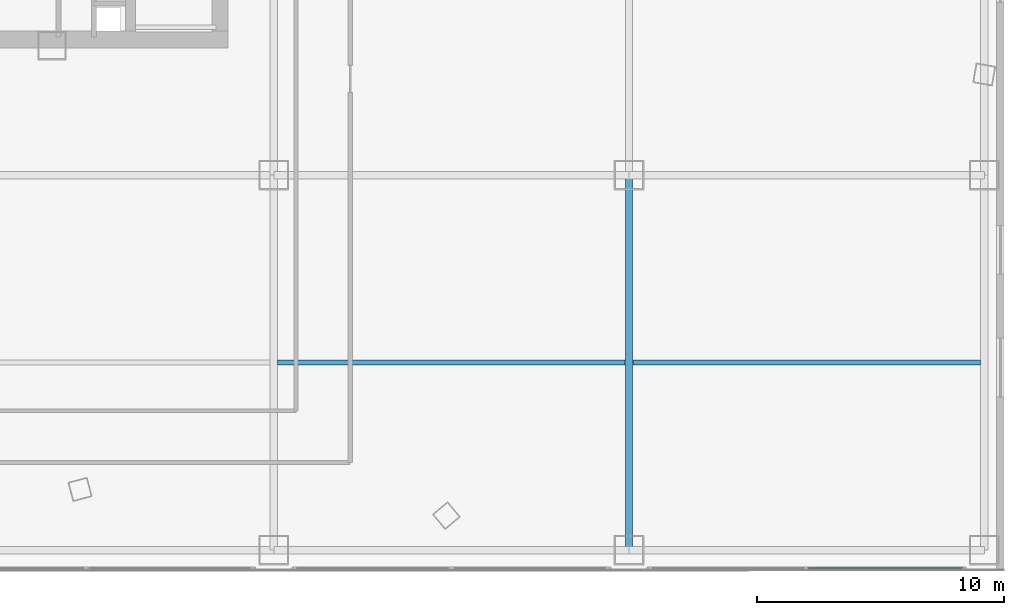
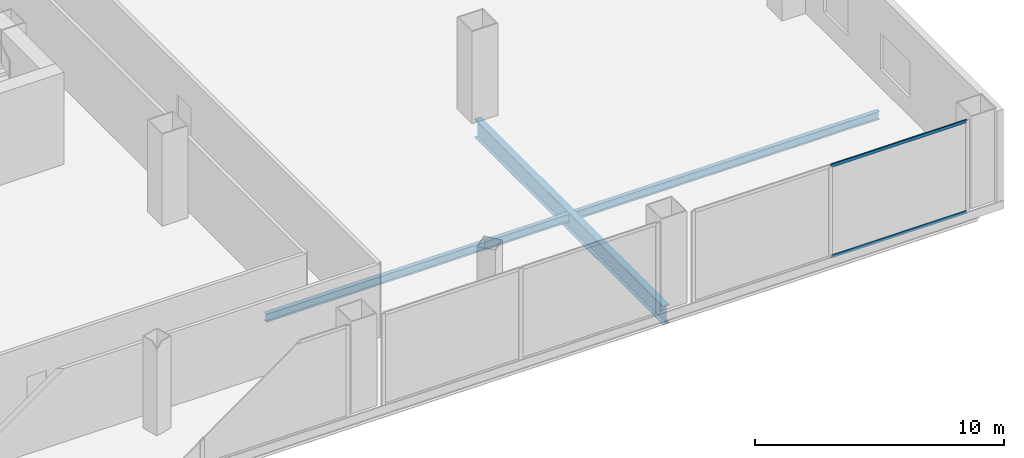
# One storey, part 15 of 40: 3 beams, 2 members, 1 element without a shape of its own.
"""IFC4 building model written with IfcOpenShell, lengths in metres."""

from ifc_helpers import new_model, si_unit, direction, frame, origin, origin_2d, place, context, subcontext, project, spatial, hollow_rectangle, i_section, extrude, source, transform, mapped, material, layer, layer_set, material_profile, profile_set, type_object, element, aggregate, save


model = new_model("IFC4")

# Units and contexts
model_context = context("Model", 3, precision=1e-05, world=origin(), true_north=direction((0.0, 1.0)))
body_context = subcontext(model_context, "Body", "Model", "MODEL_VIEW")
ifc_project = project(units=[si_unit("LENGTHUNIT", "METRE"), si_unit("AREAUNIT", "SQUARE_METRE"), si_unit("VOLUMEUNIT", "CUBIC_METRE"), si_unit("PLANEANGLEUNIT", "RADIAN"), si_unit("MASSUNIT", "GRAM", prefix="KILO"), si_unit("THERMODYNAMICTEMPERATUREUNIT", "KELVIN"), si_unit("POWERUNIT", "WATT")], contexts=[model_context])

# Site, building, storey
site_placement = place(None, origin())
site = spatial("IfcSite", under=ifc_project, at=site_placement, CompositionType="ELEMENT")
building_placement = place(site_placement, origin())
building = spatial("IfcBuilding", under=site, at=building_placement, Name="Yunzhuo Pagoda Commons", CompositionType="ELEMENT")
storey_placement = place(building_placement, frame((0.0, 0.0, 14.39990234375)))
storey = spatial("IfcBuildingStorey", under=building, at=storey_placement, Name="L04", CompositionType="ELEMENT", Elevation=14.39990234375)

# Beams
ifc_material_1 = material(Name="Structural steel Q355B", Category="steel")
ifc_material_profile_1 = material_profile(ifc_material_1, i_section(OverallWidth=0.199951171875, OverallDepth=0.39990234375, WebThickness=0.008056640625, FlangeThickness=0.012939453125, at=origin_2d()), Name="Structural steel Q355B")
ifc_profile_set_1 = profile_set([ifc_material_profile_1], Name="Structural steel Q355B")
beam_type_1 = type_object("IfcBeamType", Name="B-JS1 Joist HN 400x200x8x13", PredefinedType="JOIST", material=ifc_profile_set_1)
shared_shape_1 = source(origin(), body_context, "Body", "SweptSolid", [
    extrude(i_section(OverallWidth=0.199951171875, OverallDepth=0.39990234375, WebThickness=0.008056640625, FlangeThickness=0.012939453125, at=origin_2d()), origin(), (0.0, 0.0, 1.0), 14.08984375),
])
beam_1_placement = place(storey_placement, frame((76.955078125, 14.39990234375, -0.47998046875), z_axis=(1.0, 0.0, 0.0), x_axis=(0.0, 1.0, 0.0)))
element("IfcBeam", 1, at=beam_1_placement, inside=storey, type_object=beam_type_1, Name="L04 podium composite joist 5.1", PredefinedType="JOIST", context=body_context, shape_type="MappedRepresentation", body=[
    mapped(shared_shape_1, transform((0.0, 0.0, 0.0), scale=1.0)),
])
ifc_material_profile_2 = material_profile(ifc_material_1, i_section(OverallWidth=0.300048828125, OverallDepth=0.89990234375, WebThickness=0.01611328125, FlangeThickness=0.028076171875, at=origin_2d()), Name="Structural steel Q355B")
ifc_profile_set_2 = profile_set([ifc_material_profile_2], Name="Structural steel Q355B")
beam_type_2 = type_object("IfcBeamType", Name="B-PD1 Beam HN 900x300x16x28", PredefinedType="BEAM", material=ifc_profile_set_2)
shared_shape_2 = source(origin(), body_context, "Body", "SweptSolid", [
    extrude(i_section(OverallWidth=0.300048828125, OverallDepth=0.89990234375, WebThickness=0.01611328125, FlangeThickness=0.028076171875, at=origin_2d()), origin(), (0.0, 0.0, 1.0), 15.199951171875),
])
beam_2_placement = place(storey_placement, frame((76.800048828125, 6.800048828125, -0.72998046875), z_axis=(0.0, 1.0, 0.0), x_axis=(-1.0, 0.0, 0.0)))
element("IfcBeam", 2, at=beam_2_placement, inside=storey, type_object=beam_type_2, Name="L04 podium girder NS 5.1", PredefinedType="BEAM", context=body_context, shape_type="MappedRepresentation", body=[
    mapped(shared_shape_2, transform((0.0, 0.0, 0.0), scale=1.0)),
])
shared_shape_3 = source(origin(), body_context, "Body", "SweptSolid", [
    extrude(i_section(OverallWidth=0.199951171875, OverallDepth=0.39990234375, WebThickness=0.008056640625, FlangeThickness=0.012939453125, at=origin_2d()), origin(), (0.0, 0.0, 1.0), 14.09033203125),
])
beam_3_placement = place(storey_placement, frame((62.554931640625, 14.39990234375, -0.47998046875), z_axis=(1.0, 0.0, 0.0), x_axis=(0.0, 1.0, 0.0)))
element("IfcBeam", 3, at=beam_3_placement, inside=storey, type_object=beam_type_1, Name="L04 podium composite joist 4.1", PredefinedType="JOIST", context=body_context, shape_type="MappedRepresentation", body=[
    mapped(shared_shape_3, transform((0.0, 0.0, 0.0), scale=1.0)),
])

# Curtain wall, members
ifc_material_2 = material(Name="Anodized aluminium 6063-T6", Category="aluminium")
ifc_layer = layer(ifc_material_2, 0.179931640625)
ifc_layer_set = layer_set([ifc_layer], Name="Anodized aluminium 6063-T6")
curtain_wall_type = type_object("IfcCurtainWallType", Name="CW-POD Waterfront Podium Curtain Wall", PredefinedType="NOTDEFINED", material=ifc_layer_set)
curtain_wall_placement = place(storey_placement, origin())
curtain_wall = element("IfcCurtainWall", 4, at=curtain_wall_placement, inside=storey, type_object=curtain_wall_type, Name="L04 curtain wall CW-L04-S5", PredefinedType="NOTDEFINED")
ifc_material_profile_3 = material_profile(ifc_material_2, hollow_rectangle(XDim=0.06005859375, YDim=0.14990234375, WallThickness=0.00390625, at=origin_2d()), Name="Anodized aluminium 6063-T6")
ifc_profile_set_3 = profile_set([ifc_material_profile_3], Name="Anodized aluminium 6063-T6")
member_type = type_object("IfcMemberType", Name="CW-POD-T Transom RHS 150x60x4", PredefinedType="USERDEFINED", material=ifc_profile_set_3)
shared_shape_4 = source(origin(), body_context, "Body", "SweptSolid", [
    extrude(hollow_rectangle(XDim=0.06005859375, YDim=0.14990234375, WallThickness=0.00390625, at=origin_2d()), origin(), (0.0, 0.0, 1.0), 6.302490234375),
])
member_1_placement = place(storey_placement, frame((84.032470703125, 6.080078125, 0.030029296875), z_axis=(1.0, 0.0, 0.0), x_axis=(0.0, 1.0, 0.0)))
member_1 = element("IfcMember", 5, at=member_1_placement, type_object=member_type, Name="CW transom 2.1", ObjectType="TRANSOM", PredefinedType="USERDEFINED", context=body_context, shape_type="MappedRepresentation", body=[
    mapped(shared_shape_4, transform((0.0, 0.0, 0.0), scale=1.0)),
])
member_2_placement = place(storey_placement, frame((84.032470703125, 6.080078125, 4.489990234375), z_axis=(1.0, 0.0, 0.0), x_axis=(0.0, 1.0, 0.0)))
member_2 = element("IfcMember", 6, at=member_2_placement, type_object=member_type, Name="CW transom 2.2", ObjectType="TRANSOM", PredefinedType="USERDEFINED", context=body_context, shape_type="MappedRepresentation", body=[
    mapped(shared_shape_4, transform((0.0, 0.0, 0.0), scale=1.0)),
])
aggregate(curtain_wall, [member_1, member_2])

save(model, "model.ifc")
